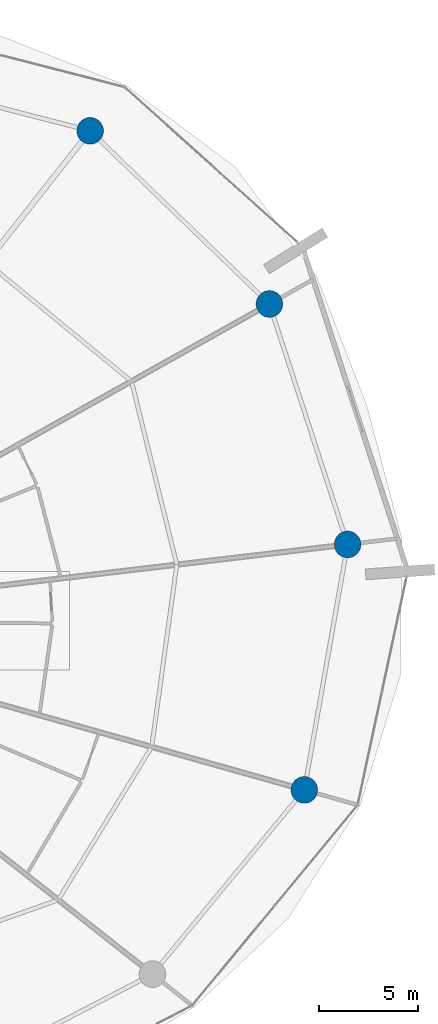
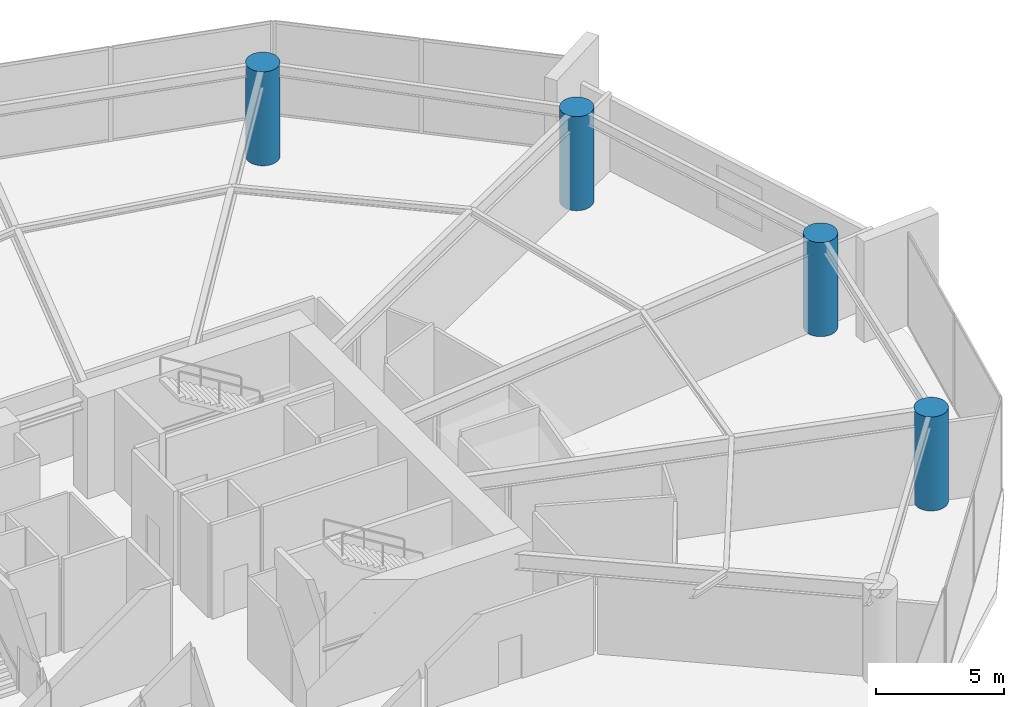
# One storey, part 6 of 22: 4 columns.
"""IFC4 building model written with IfcOpenShell, lengths in metres."""

from ifc_helpers import new_model, si_unit, direction, frame, origin, origin_2d, place, context, subcontext, project, spatial, circle, extrude, material, material_profile, profile_set, type_object, element, save


model = new_model("IFC4")

# Units and contexts
model_context = context("Model", 3, precision=1e-05, world=origin(), true_north=direction((0.0, 1.0)))
body_context = subcontext(model_context, "Body", "Model", "MODEL_VIEW")
ifc_project = project(units=[si_unit("LENGTHUNIT", "METRE"), si_unit("AREAUNIT", "SQUARE_METRE"), si_unit("VOLUMEUNIT", "CUBIC_METRE"), si_unit("PLANEANGLEUNIT", "RADIAN"), si_unit("MASSUNIT", "GRAM", prefix="KILO")], contexts=[model_context])

# Site, building, storey
site_placement = place(None, origin())
site = spatial("IfcSite", under=ifc_project, at=site_placement, CompositionType="ELEMENT")
building_placement = place(site_placement, origin())
building = spatial("IfcBuilding", under=site, at=building_placement, Name="Kazma Halo Residences", CompositionType="ELEMENT")
storey_placement = place(building_placement, frame((0.0, 0.0, 7.199951171875)))
storey = spatial("IfcBuildingStorey", under=building, at=storey_placement, Name="L01", CompositionType="ELEMENT", Elevation=7.199951171875)

# Columns
ifc_material = material(Name="Concrete C80/95", Category="concrete")
ifc_material_profile = material_profile(ifc_material, circle(Radius=0.675048828125, at=origin_2d()), Name="CIRC1350")
ifc_profile_set = profile_set([ifc_material_profile], Name="Concrete C80/95")
column_type = type_object("IfcColumnType", Name="COL-PERIM-1350", PredefinedType="COLUMN", material=ifc_profile_set)
for number, where, z_axis, x_axis, name in (
    (1, (76.6328125, 58.03515625, 0.0), (0.0, 0.0, 1.0), (1.0, 0.0, 0.0), "L01 perimeter ring column P01"),
    (2, (67.55322265625, 66.80322265625, 0.0), (0.0, 0.0, 1.0), (1.0, 0.0, 0.0), "L01 perimeter ring column P02"),
    (3, (78.397705078125, 33.427001953125, 0.0), (0.0, 0.0, 1.0), (1.0, 0.0, 0.0), "L01 perimeter ring column P15"),
    (4, (80.589599609375, 45.857177734375, 0.0), (0.0, 0.0, 1.0), (1.0, 0.0, 0.0), "L01 perimeter ring column P16"),
):
    element("IfcColumn", number, at=place(storey_placement, frame(where, z_axis=z_axis, x_axis=x_axis)), inside=storey, type_object=column_type, Name=name, PredefinedType="COLUMN", context=body_context, shape_type="SweptSolid", body=[
        extrude(circle(Radius=0.675048828125, at=origin_2d()), origin(), (0.0, 0.0, 1.0), 4.47998046875),
    ])

save(model, "model.ifc")
